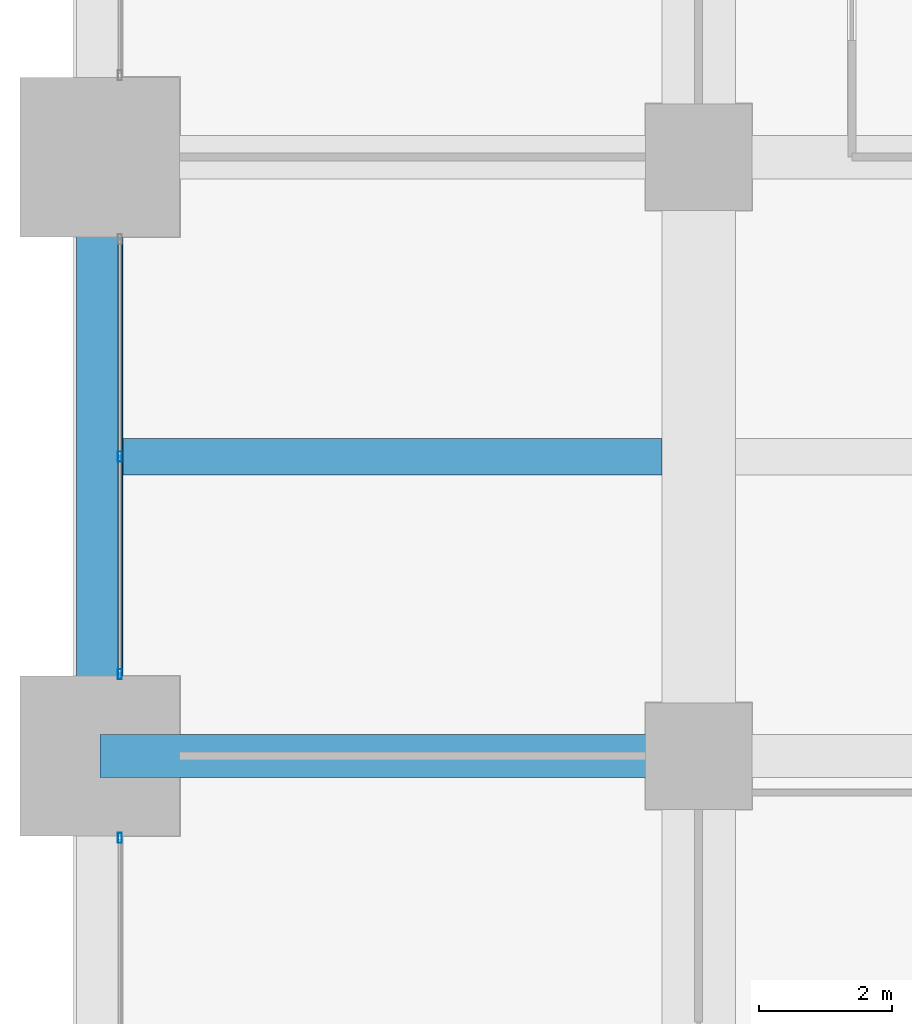
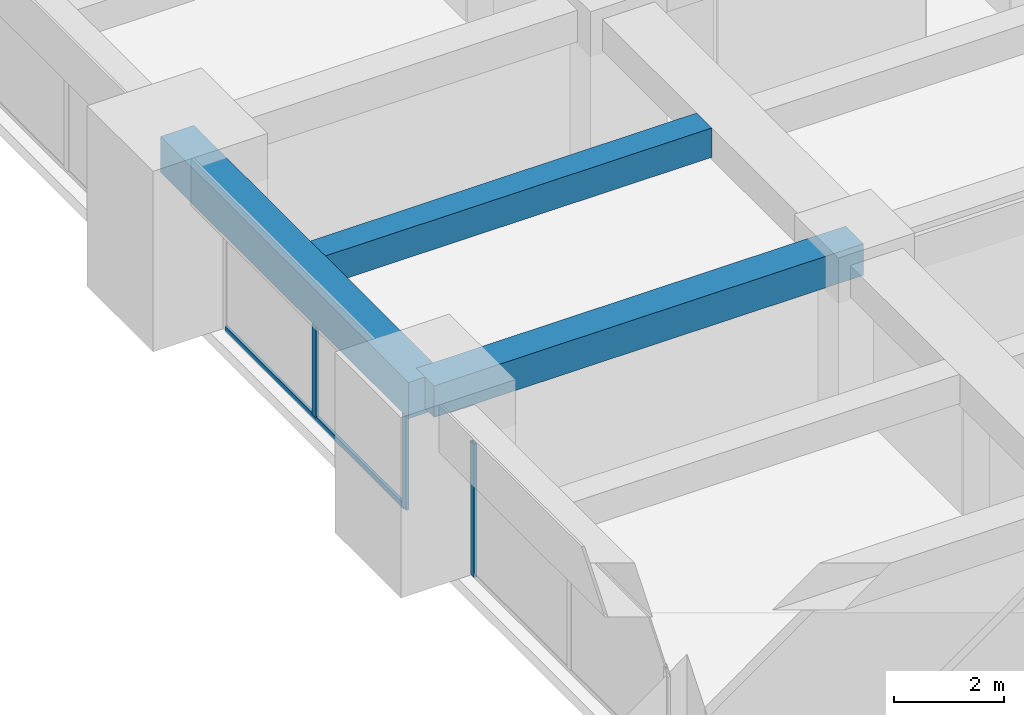
# One storey, part 9 of 32: 4 members, 3 beams, 2 elements without a shape of their own.
"""IFC4 building model written with IfcOpenShell, lengths in metres."""

from ifc_helpers import new_model, si_unit, direction, frame, origin, origin_2d, place, context, subcontext, project, spatial, rectangle, hollow_rectangle, extrude, material, material_profile, profile_set, type_object, element, aggregate, save


model = new_model("IFC4")

# Units and contexts
model_context = context("Model", 3, precision=1e-05, world=origin(), true_north=direction((0.0, 1.0)))
body_context = subcontext(model_context, "Body", "Model", "MODEL_VIEW")
ifc_project = project(units=[si_unit("LENGTHUNIT", "METRE"), si_unit("AREAUNIT", "SQUARE_METRE"), si_unit("VOLUMEUNIT", "CUBIC_METRE"), si_unit("PLANEANGLEUNIT", "RADIAN"), si_unit("MASSUNIT", "GRAM", prefix="KILO")], contexts=[model_context])

# Site, building, storey
site_placement = place(None, origin())
site = spatial("IfcSite", under=ifc_project, at=site_placement, CompositionType="ELEMENT")
building_placement = place(site_placement, origin())
building = spatial("IfcBuilding", under=site, at=building_placement, Name="Zorevar Civic Tower", CompositionType="ELEMENT")
storey_placement = place(building_placement, frame((0.0, 0.0, 190.199951171875)))
storey = spatial("IfcBuildingStorey", under=building, at=storey_placement, Name="L46", CompositionType="ELEMENT", Elevation=190.199951171875)

# Beams
ifc_material_1 = material(Name="Concrete C50/60", Category="concrete")
ifc_material_profile_1 = material_profile(ifc_material_1, rectangle(XDim=0.550048828125, YDim=0.64990234375, at=origin_2d()), Name="RC 550x650")
ifc_profile_set_1 = profile_set([ifc_material_profile_1], Name="Concrete C50/60")
beam_type_1 = type_object("IfcBeamType", Name="Beam RC 550x650", PredefinedType="BEAM", material=ifc_profile_set_1)
beam_1_placement = place(storey_placement, frame((0.35009765625, 22.5, 3.425048828125), z_axis=(1.0, 0.0, 0.0), x_axis=(0.0, 1.0, 0.0)))
element("IfcBeam", 1, at=beam_1_placement, inside=storey, type_object=beam_type_1, Name="Secondary beam L47", PredefinedType="BEAM", context=body_context, shape_type="SweptSolid", body=[
    extrude(rectangle(XDim=0.550048828125, YDim=0.64990234375, at=origin_2d()), origin(), (0.0, 0.0, 1.0), 8.099853515625),
])
ifc_material_2 = material(Name="Concrete C50/60", Category="concrete")
ifc_material_profile_2 = material_profile(ifc_material_2, rectangle(XDim=0.64990234375, YDim=0.699951171875, at=origin_2d()), Name="RC 650x700")
ifc_profile_set_2 = profile_set([ifc_material_profile_2], Name="Concrete C50/60")
beam_type_2 = type_object("IfcBeamType", Name="Beam RC 650x700", PredefinedType="BEAM", material=ifc_profile_set_2)
beam_2_placement = place(storey_placement, frame((0.0, 18.0, 3.400146484375), z_axis=(1.0, 0.0, 0.0), x_axis=(0.0, 1.0, 0.0)))
element("IfcBeam", 2, at=beam_2_placement, inside=storey, type_object=beam_type_2, Name="Girder L47", PredefinedType="BEAM", context=body_context, shape_type="SweptSolid", body=[
    extrude(rectangle(XDim=0.64990234375, YDim=0.699951171875, at=origin_2d()), origin(), (0.0, 0.0, 1.0), 9.0),
])

# Curtain wall, member
ifc_material_3 = material(Name="Dark grey solar-control glass in black aluminium frame", Category="aluminium")
curtain_wall_type = type_object("IfcCurtainWallType", Name="Curtain wall CW4 high zone", PredefinedType="NOTDEFINED", material=ifc_material_3)
curtain_wall_1_placement = place(storey_placement, origin())
curtain_wall_1 = element("IfcCurtainWall", 3, at=curtain_wall_1_placement, inside=storey, type_object=curtain_wall_type, Name="CW4 L46", PredefinedType="NOTDEFINED")
ifc_material_4 = material(Name="Aluminium, black anodised", Category="aluminium")
ifc_material_profile_3 = material_profile(ifc_material_4, hollow_rectangle(XDim=0.06005859375, YDim=0.14990234375, WallThickness=0.00390625, at=origin_2d()), Name="AL 150x60x4")
ifc_profile_set_3 = profile_set([ifc_material_profile_3], Name="Aluminium, black anodised")
member_type_1 = type_object("IfcMemberType", Name="CW4 mullion AL 150x60x4", PredefinedType="MULLION", material=ifc_profile_set_3)
member_1_placement = place(storey_placement, frame((0.300048828125, 16.77001953125, 0.0), z_axis=(0.0, 0.0, 1.0), x_axis=(-1.0, 0.0, 0.0)))
member_1 = element("IfcMember", 4, at=member_1_placement, type_object=member_type_1, Name="CW4 mullion 3", PredefinedType="MULLION", context=body_context, shape_type="SweptSolid", body=[
    extrude(hollow_rectangle(XDim=0.06005859375, YDim=0.14990234375, WallThickness=0.00390625, at=origin_2d()), origin(), (0.0, 0.0, 1.0), 2.949951171875),
])
aggregate(curtain_wall_1, [member_1])

# Curtain wall, members
curtain_wall_2_placement = place(storey_placement, origin())
curtain_wall_2 = element("IfcCurtainWall", 5, at=curtain_wall_2_placement, inside=storey, type_object=curtain_wall_type, Name="CW4 L46", PredefinedType="NOTDEFINED")
member_2_placement = place(storey_placement, frame((0.300048828125, 19.22998046875, 0.0), z_axis=(0.0, 0.0, 1.0), x_axis=(-1.0, 0.0, 0.0)))
member_2 = element("IfcMember", 6, at=member_2_placement, type_object=member_type_1, Name="CW4 mullion 1", PredefinedType="MULLION", context=body_context, shape_type="SweptSolid", body=[
    extrude(hollow_rectangle(XDim=0.06005859375, YDim=0.14990234375, WallThickness=0.00390625, at=origin_2d()), origin(), (0.0, 0.0, 1.0), 2.949951171875),
])
member_3_placement = place(storey_placement, frame((0.300048828125, 22.5, 0.06005859375), z_axis=(0.0, 0.0, 1.0), x_axis=(-1.0, 0.0, 0.0)))
member_3 = element("IfcMember", 7, at=member_3_placement, type_object=member_type_1, Name="CW4 mullion 2", PredefinedType="MULLION", context=body_context, shape_type="SweptSolid", body=[
    extrude(hollow_rectangle(XDim=0.06005859375, YDim=0.14990234375, WallThickness=0.00390625, at=origin_2d()), origin(), (0.0, 0.0, 1.0), 2.889892578125),
])
ifc_material_5 = material(Name="Aluminium, black anodised", Category="aluminium")
ifc_material_profile_4 = material_profile(ifc_material_5, hollow_rectangle(XDim=0.06005859375, YDim=0.1201171875, WallThickness=0.0029296875, at=origin_2d()), Name="AL 120x60x3")
ifc_profile_set_4 = profile_set([ifc_material_profile_4], Name="Aluminium, black anodised")
member_type_2 = type_object("IfcMemberType", Name="CW4 transom AL 120x60x3", PredefinedType="USERDEFINED", material=ifc_profile_set_4)
member_4_placement = place(storey_placement, frame((0.300048828125, 19.260009765625, 0.030029296875), z_axis=(0.0, 1.0, 0.0), x_axis=(-1.0, 0.0, 0.0)))
member_4 = element("IfcMember", 8, at=member_4_placement, type_object=member_type_2, Name="CW4 sill transom", ObjectType="TRANSOM", PredefinedType="USERDEFINED", context=body_context, shape_type="SweptSolid", body=[
    extrude(hollow_rectangle(XDim=0.06005859375, YDim=0.1201171875, WallThickness=0.0029296875, at=origin_2d()), origin(), (0.0, 0.0, 1.0), 6.47998046875),
])
aggregate(curtain_wall_2, [member_2, member_3, member_4])

# Beam
ifc_material_6 = material(Name="Concrete C50/60", Category="concrete")
ifc_material_profile_5 = material_profile(ifc_material_6, rectangle(XDim=0.699951171875, YDim=0.800048828125, at=origin_2d()), Name="RC 700x800")
ifc_profile_set_5 = profile_set([ifc_material_profile_5], Name="Concrete C50/60")
beam_type_3 = type_object("IfcBeamType", Name="Edge beam RC 700x800", PredefinedType="SPANDREL", material=ifc_profile_set_5)
beam_3_placement = place(storey_placement, frame((0.0, 18.0, 3.35009765625), z_axis=(0.0, 1.0, 0.0), x_axis=(-1.0, 0.0, 0.0)))
element("IfcBeam", 9, at=beam_3_placement, inside=storey, type_object=beam_type_3, Name="Edge beam L47", PredefinedType="SPANDREL", context=body_context, shape_type="SweptSolid", body=[
    extrude(rectangle(XDim=0.699951171875, YDim=0.800048828125, at=origin_2d()), origin(), (0.0, 0.0, 1.0), 9.0),
])

save(model, "model.ifc")
